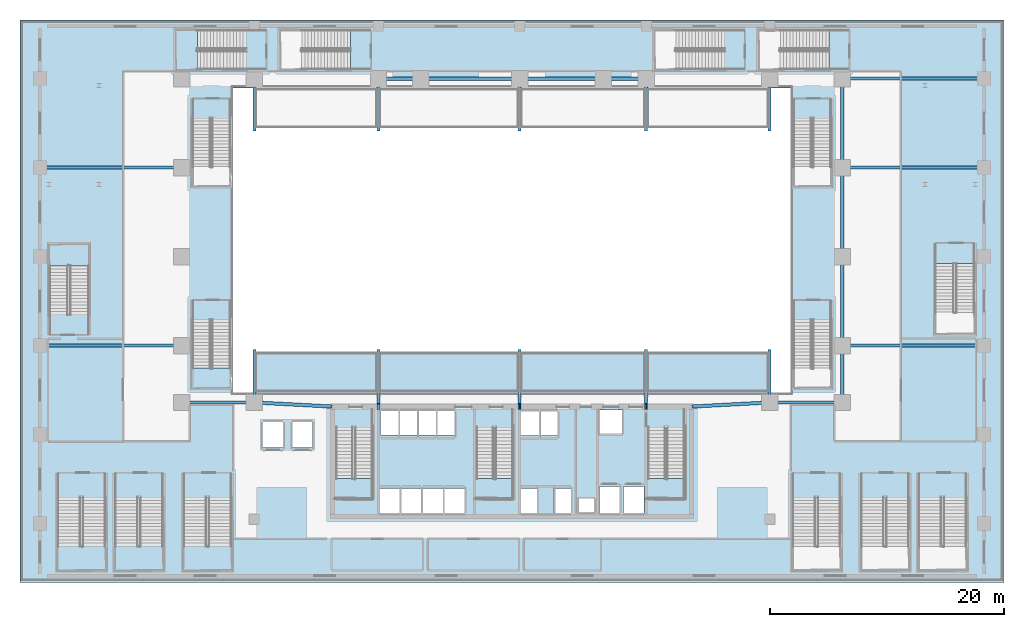
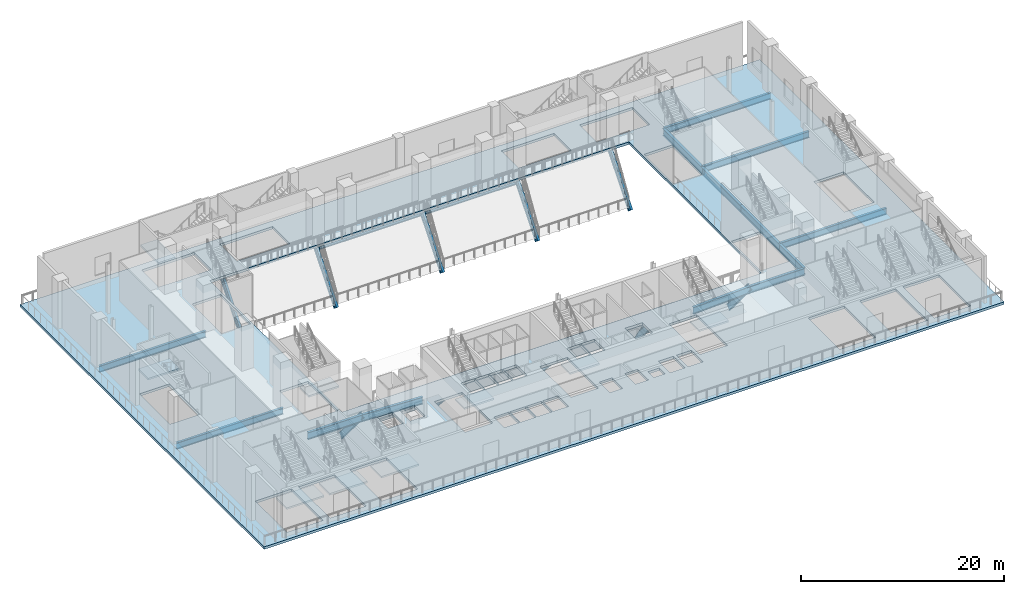
# One storey, part 5 of 30: 27 beams, 14 slabs, 9 elements without a shape of their own.
"""IFC4 building model written with IfcOpenShell, lengths in metres."""

from ifc_helpers import new_model, si_unit, direction, frame, origin, origin_2d, place, context, subcontext, project, spatial, polyline, i_section, outline, extrude, material, layer, layer_set, material_profile, profile_set, type_object, element, aggregate, save


model = new_model("IFC4")

# Units and contexts
model_context = context("Model", 3, precision=1e-05, world=origin(), true_north=direction((0.0, 1.0)))
body_context = subcontext(model_context, "Body", "Model", "MODEL_VIEW")
ifc_project = project(units=[si_unit("LENGTHUNIT", "METRE"), si_unit("AREAUNIT", "SQUARE_METRE"), si_unit("VOLUMEUNIT", "CUBIC_METRE"), si_unit("PLANEANGLEUNIT", "RADIAN"), si_unit("MASSUNIT", "GRAM", prefix="KILO")], contexts=[model_context])

# Site, building, storey
site_placement = place(None, origin())
site = spatial("IfcSite", under=ifc_project, at=site_placement, CompositionType="ELEMENT")
building_placement = place(site_placement, origin())
building = spatial("IfcBuilding", under=site, at=building_placement, Name="Ndaravel Arena Tower", CompositionType="ELEMENT")
storey_placement = place(building_placement, frame((0.0, 0.0, 6.0)))
storey = spatial("IfcBuildingStorey", under=building, at=storey_placement, Name="L01", CompositionType="ELEMENT", Elevation=6.0)

# Beams
ifc_material_1 = material(Name="Steel S355", Category="steel")
ifc_material_profile_1 = material_profile(ifc_material_1, i_section(OverallWidth=0.26806640625, OverallDepth=0.769775390625, WebThickness=0.015625, FlangeThickness=0.025390625, FilletRadius=0.0166015625, at=origin_2d()), Name="UB 762x267x197")
ifc_profile_set_1 = profile_set([ifc_material_profile_1], Name="Steel S355")
beam_type_1 = type_object("IfcBeamType", Name="BM-POD-UB762", PredefinedType="BEAM", material=ifc_profile_set_1)
for number, where, z_axis, x_axis, name in (
    (1, (1.699951171875, 20.199951171875, -0.684814453125), (1.0, 0.0, 0.0), (0.0, 1.0, 0.0), "L01 West Concourse Beam 01"),
    (2, (70.199951171875, 20.199951171875, -0.684814453125), (1.0, 0.0, 0.0), (0.0, 1.0, 0.0), "L01 East Concourse Beam 01"),
    (3, (1.699951171875, 35.39990234375, -0.684814453125), (1.0, 0.0, 0.0), (0.0, 1.0, 0.0), "L01 West Concourse Beam 03"),
    (4, (70.199951171875, 35.39990234375, -0.684814453125), (1.0, 0.0, 0.0), (0.0, 1.0, 0.0), "L01 East Concourse Beam 03"),
    (5, (70.199951171875, 43.0, -0.684814453125), (1.0, 0.0, 0.0), (0.0, 1.0, 0.0), "L01 East Concourse Beam 04"),
):
    element("IfcBeam", number, at=place(storey_placement, frame(where, z_axis=z_axis, x_axis=x_axis)), inside=storey, type_object=beam_type_1, Name=name, PredefinedType="BEAM", context=body_context, shape_type="SweptSolid", body=[
        extrude(i_section(OverallWidth=0.26806640625, OverallDepth=0.769775390625, WebThickness=0.015625, FlangeThickness=0.025390625, FilletRadius=0.0166015625, at=origin_2d()), origin(), (0.0, 0.0, 1.0), 12.10009765625),
    ])
ifc_material_2 = material(Name="Steel S355", Category="steel")
ifc_material_profile_2 = material_profile(ifc_material_2, i_section(OverallWidth=0.293701171875, OverallDepth=0.850830078125, WebThickness=0.01611328125, FlangeThickness=0.02685546875, FilletRadius=0.017822265625, at=origin_2d()), Name="UB 838x292x226")
ifc_profile_set_2 = profile_set([ifc_material_profile_2], Name="Steel S355")
beam_type_2 = type_object("IfcBeamType", Name="BM-POD-UB838", PredefinedType="BEAM", material=ifc_profile_set_2)
beam_1_placement = place(storey_placement, frame((70.199951171875, 15.35009765625, -0.775390625), z_axis=(0.0, 1.0, 0.0), x_axis=(-1.0, 0.0, 0.0)))
element("IfcBeam", 6, at=beam_1_placement, inside=storey, type_object=beam_type_2, Name="L01 Arena Ring Girder 05", PredefinedType="BEAM", context=body_context, shape_type="SweptSolid", body=[
    extrude(i_section(OverallWidth=0.293701171875, OverallDepth=0.850830078125, WebThickness=0.01611328125, FlangeThickness=0.02685546875, FilletRadius=0.017822265625, at=origin_2d()), origin(), (0.0, 0.0, 1.0), 4.849853515625),
])
beam_2_placement = place(storey_placement, frame((70.199951171875, 20.199951171875, -0.775390625), z_axis=(0.0, 1.0, 0.0), x_axis=(-1.0, 0.0, 0.0)))
element("IfcBeam", 7, at=beam_2_placement, inside=storey, type_object=beam_type_2, Name="L01 Arena Ring Girder 06", PredefinedType="BEAM", context=body_context, shape_type="SweptSolid", body=[
    extrude(i_section(OverallWidth=0.293701171875, OverallDepth=0.850830078125, WebThickness=0.01611328125, FlangeThickness=0.02685546875, FilletRadius=0.017822265625, at=origin_2d()), origin(), (0.0, 0.0, 1.0), 7.60009765625),
])
beam_3_placement = place(storey_placement, frame((70.199951171875, 27.800048828125, -0.775390625), z_axis=(0.0, 1.0, 0.0), x_axis=(-1.0, 0.0, 0.0)))
element("IfcBeam", 8, at=beam_3_placement, inside=storey, type_object=beam_type_2, Name="L01 Arena Ring Girder 07", PredefinedType="BEAM", context=body_context, shape_type="SweptSolid", body=[
    extrude(i_section(OverallWidth=0.293701171875, OverallDepth=0.850830078125, WebThickness=0.01611328125, FlangeThickness=0.02685546875, FilletRadius=0.017822265625, at=origin_2d()), origin(), (0.0, 0.0, 1.0), 7.599853515625),
])
beam_4_placement = place(storey_placement, frame((70.199951171875, 35.39990234375, -0.775390625), z_axis=(0.0, 1.0, 0.0), x_axis=(-1.0, 0.0, 0.0)))
element("IfcBeam", 9, at=beam_4_placement, inside=storey, type_object=beam_type_2, Name="L01 Arena Ring Girder 08", PredefinedType="BEAM", context=body_context, shape_type="SweptSolid", body=[
    extrude(i_section(OverallWidth=0.293701171875, OverallDepth=0.850830078125, WebThickness=0.01611328125, FlangeThickness=0.02685546875, FilletRadius=0.017822265625, at=origin_2d()), origin(), (0.0, 0.0, 1.0), 7.60009765625),
])
beam_5_placement = place(storey_placement, frame((30.60009765625, 43.0, -0.775390625), z_axis=(1.0, 0.0, 0.0), x_axis=(0.0, 1.0, 0.0)))
element("IfcBeam", 10, at=beam_5_placement, inside=storey, type_object=beam_type_2, Name="L01 Arena Ring Girder 11", PredefinedType="BEAM", context=body_context, shape_type="SweptSolid", body=[
    extrude(i_section(OverallWidth=0.293701171875, OverallDepth=0.850830078125, WebThickness=0.01611328125, FlangeThickness=0.02685546875, FilletRadius=0.017822265625, at=origin_2d()), origin(), (0.0, 0.0, 1.0), 3.599853515625),
])
beam_6_placement = place(storey_placement, frame((34.199951171875, 43.0, -0.775390625), z_axis=(1.0, 0.0, 0.0), x_axis=(0.0, 1.0, 0.0)))
element("IfcBeam", 11, at=beam_6_placement, inside=storey, type_object=beam_type_2, Name="L01 Arena Ring Girder 12", PredefinedType="BEAM", context=body_context, shape_type="SweptSolid", body=[
    extrude(i_section(OverallWidth=0.293701171875, OverallDepth=0.850830078125, WebThickness=0.01611328125, FlangeThickness=0.02685546875, FilletRadius=0.017822265625, at=origin_2d()), origin(), (0.0, 0.0, 1.0), 8.449951171875),
])
beam_7_placement = place(storey_placement, frame((42.64990234375, 43.0, -0.775390625), z_axis=(1.0, 0.0, 0.0), x_axis=(0.0, 1.0, 0.0)))
element("IfcBeam", 12, at=beam_7_placement, inside=storey, type_object=beam_type_2, Name="L01 Arena Ring Girder 13", PredefinedType="BEAM", context=body_context, shape_type="SweptSolid", body=[
    extrude(i_section(OverallWidth=0.293701171875, OverallDepth=0.850830078125, WebThickness=0.01611328125, FlangeThickness=0.02685546875, FilletRadius=0.017822265625, at=origin_2d()), origin(), (0.0, 0.0, 1.0), 7.150146484375),
])
beam_8_placement = place(storey_placement, frame((49.800048828125, 43.0, -0.775390625), z_axis=(1.0, 0.0, 0.0), x_axis=(0.0, 1.0, 0.0)))
element("IfcBeam", 13, at=beam_8_placement, inside=storey, type_object=beam_type_2, Name="L01 Arena Ring Girder 14", PredefinedType="BEAM", context=body_context, shape_type="SweptSolid", body=[
    extrude(i_section(OverallWidth=0.293701171875, OverallDepth=0.850830078125, WebThickness=0.01611328125, FlangeThickness=0.02685546875, FilletRadius=0.017822265625, at=origin_2d()), origin(), (0.0, 0.0, 1.0), 3.64990234375),
])
beam_9_placement = place(storey_placement, frame((13.800048828125, 15.35009765625, -0.775390625), z_axis=(1.0, 0.0, 0.0), x_axis=(0.0, 1.0, 0.0)))
element("IfcBeam", 14, at=beam_9_placement, inside=storey, type_object=beam_type_2, Name="L01 Arena Ring Girder 17", PredefinedType="BEAM", context=body_context, shape_type="SweptSolid", body=[
    extrude(i_section(OverallWidth=0.293701171875, OverallDepth=0.850830078125, WebThickness=0.01611328125, FlangeThickness=0.02685546875, FilletRadius=0.017822265625, at=origin_2d()), origin(), (0.0, 0.0, 1.0), 6.199951171875),
])
for number, where, z_axis, x_axis, name in (
    (15, (20.0, 15.35009765625, -0.775390625), (0.99861701899, -0.052574227375, 0.0), (0.052574227375, 0.99861701899, 0.0), "L01 Arena Ring Girder 18"),
    (16, (57.35009765625, 15.0, -0.775390625), (0.99861701899, 0.052574227375, 0.0), (-0.052574227375, 0.99861701899, 0.0), "L01 Arena Ring Girder 19"),
):
    element("IfcBeam", number, at=place(storey_placement, frame(where, z_axis=z_axis, x_axis=x_axis)), inside=storey, type_object=beam_type_2, Name=name, PredefinedType="BEAM", context=body_context, shape_type="SweptSolid", body=[
        extrude(i_section(OverallWidth=0.293701171875, OverallDepth=0.850830078125, WebThickness=0.01611328125, FlangeThickness=0.02685546875, FilletRadius=0.017822265625, at=origin_2d()), origin(), (0.0, 0.0, 1.0), 6.6591796875),
    ])
beam_10_placement = place(storey_placement, frame((64.0, 15.35009765625, -0.775390625), z_axis=(1.0, 0.0, 0.0), x_axis=(0.0, 1.0, 0.0)))
element("IfcBeam", 17, at=beam_10_placement, inside=storey, type_object=beam_type_2, Name="L01 Arena Ring Girder 20", PredefinedType="BEAM", context=body_context, shape_type="SweptSolid", body=[
    extrude(i_section(OverallWidth=0.293701171875, OverallDepth=0.850830078125, WebThickness=0.01611328125, FlangeThickness=0.02685546875, FilletRadius=0.017822265625, at=origin_2d()), origin(), (0.0, 0.0, 1.0), 6.199951171875),
])
ifc_material_3 = material(Name="Steel S355", Category="steel")
ifc_material_profile_3 = material_profile(ifc_material_3, i_section(OverallWidth=0.255859375, OverallDepth=0.69287109375, WebThickness=0.014404296875, FlangeThickness=0.023681640625, FilletRadius=0.01513671875, at=origin_2d()), Name="UB 686x254x170")
ifc_profile_set_3 = profile_set([ifc_material_profile_3], Name="Steel S355")
beam_type_3 = type_object("IfcBeamType", Name="BM-RAKER-UB686", PredefinedType="USERDEFINED", material=ifc_profile_set_3)
beam_11_placement = place(storey_placement, frame((20.0, 38.800048828125, -5.550048828125), z_axis=(0.0, 0.635695595576, 0.771939835586), x_axis=(-1.0, 0.0, 0.0)))
element("IfcBeam", 18, at=beam_11_placement, inside=storey, type_object=beam_type_3, Name="L01 North Arena Raker RK-1N1", ObjectType="RAKER", PredefinedType="USERDEFINED", context=body_context, shape_type="SweptSolid", body=[
    extrude(i_section(OverallWidth=0.255859375, OverallDepth=0.69287109375, WebThickness=0.014404296875, FlangeThickness=0.023681640625, FilletRadius=0.01513671875, at=origin_2d()), origin(), (0.0, 0.0, 1.0), 6.60693359375),
])
beam_12_placement = place(storey_placement, frame((20.0, 19.60009765625, -5.550048828125), z_axis=(0.0, -0.640177165233, 0.768227308233), x_axis=(1.0, 0.0, 0.0)))
element("IfcBeam", 19, at=beam_12_placement, inside=storey, type_object=beam_type_3, Name="L01 South Arena Raker RK-1S1", ObjectType="RAKER", PredefinedType="USERDEFINED", context=body_context, shape_type="SweptSolid", body=[
    extrude(i_section(OverallWidth=0.255859375, OverallDepth=0.69287109375, WebThickness=0.014404296875, FlangeThickness=0.023681640625, FilletRadius=0.01513671875, at=origin_2d()), origin(), (0.0, 0.0, 1.0), 6.638671875),
])
beam_13_placement = place(storey_placement, frame((30.60009765625, 38.800048828125, -5.550048828125), z_axis=(0.0, 0.635695595576, 0.771939835586), x_axis=(-1.0, 0.0, 0.0)))
element("IfcBeam", 20, at=beam_13_placement, inside=storey, type_object=beam_type_3, Name="L01 North Arena Raker RK-1N2", ObjectType="RAKER", PredefinedType="USERDEFINED", context=body_context, shape_type="SweptSolid", body=[
    extrude(i_section(OverallWidth=0.255859375, OverallDepth=0.69287109375, WebThickness=0.014404296875, FlangeThickness=0.023681640625, FilletRadius=0.01513671875, at=origin_2d()), origin(), (0.0, 0.0, 1.0), 6.60693359375),
])
beam_14_placement = place(storey_placement, frame((30.60009765625, 19.60009765625, -5.550048828125), z_axis=(0.0, -0.669769538934, 0.74256903027), x_axis=(1.0, 0.0, 0.0)))
element("IfcBeam", 21, at=beam_14_placement, inside=storey, type_object=beam_type_3, Name="L01 South Arena Raker RK-1S2", ObjectType="RAKER", PredefinedType="USERDEFINED", context=body_context, shape_type="SweptSolid", body=[
    extrude(i_section(OverallWidth=0.255859375, OverallDepth=0.69287109375, WebThickness=0.014404296875, FlangeThickness=0.023681640625, FilletRadius=0.01513671875, at=origin_2d()), origin(), (0.0, 0.0, 1.0), 6.8681640625),
])
beam_15_placement = place(storey_placement, frame((42.64990234375, 38.800048828125, -5.550048828125), z_axis=(0.0, 0.635695595576, 0.771939835586), x_axis=(-1.0, 0.0, 0.0)))
element("IfcBeam", 22, at=beam_15_placement, inside=storey, type_object=beam_type_3, Name="L01 North Arena Raker RK-1N3", ObjectType="RAKER", PredefinedType="USERDEFINED", context=body_context, shape_type="SweptSolid", body=[
    extrude(i_section(OverallWidth=0.255859375, OverallDepth=0.69287109375, WebThickness=0.014404296875, FlangeThickness=0.023681640625, FilletRadius=0.01513671875, at=origin_2d()), origin(), (0.0, 0.0, 1.0), 6.60693359375),
])
beam_16_placement = place(storey_placement, frame((42.64990234375, 19.60009765625, -5.550048828125), z_axis=(0.0, -0.669769538934, 0.74256903027), x_axis=(1.0, 0.0, 0.0)))
element("IfcBeam", 23, at=beam_16_placement, inside=storey, type_object=beam_type_3, Name="L01 South Arena Raker RK-1S3", ObjectType="RAKER", PredefinedType="USERDEFINED", context=body_context, shape_type="SweptSolid", body=[
    extrude(i_section(OverallWidth=0.255859375, OverallDepth=0.69287109375, WebThickness=0.014404296875, FlangeThickness=0.023681640625, FilletRadius=0.01513671875, at=origin_2d()), origin(), (0.0, 0.0, 1.0), 6.8681640625),
])
beam_17_placement = place(storey_placement, frame((53.449951171875, 38.800048828125, -5.550048828125), z_axis=(0.0, 0.635695595576, 0.771939835586), x_axis=(-1.0, 0.0, 0.0)))
element("IfcBeam", 24, at=beam_17_placement, inside=storey, type_object=beam_type_3, Name="L01 North Arena Raker RK-1N4", ObjectType="RAKER", PredefinedType="USERDEFINED", context=body_context, shape_type="SweptSolid", body=[
    extrude(i_section(OverallWidth=0.255859375, OverallDepth=0.69287109375, WebThickness=0.014404296875, FlangeThickness=0.023681640625, FilletRadius=0.01513671875, at=origin_2d()), origin(), (0.0, 0.0, 1.0), 6.60693359375),
])
beam_18_placement = place(storey_placement, frame((53.449951171875, 19.60009765625, -5.550048828125), z_axis=(0.0, -0.669769538934, 0.74256903027), x_axis=(1.0, 0.0, 0.0)))
element("IfcBeam", 25, at=beam_18_placement, inside=storey, type_object=beam_type_3, Name="L01 South Arena Raker RK-1S4", ObjectType="RAKER", PredefinedType="USERDEFINED", context=body_context, shape_type="SweptSolid", body=[
    extrude(i_section(OverallWidth=0.255859375, OverallDepth=0.69287109375, WebThickness=0.014404296875, FlangeThickness=0.023681640625, FilletRadius=0.01513671875, at=origin_2d()), origin(), (0.0, 0.0, 1.0), 6.8681640625),
])
beam_19_placement = place(storey_placement, frame((64.0, 38.800048828125, -5.550048828125), z_axis=(0.0, 0.635695595576, 0.771939835586), x_axis=(-1.0, 0.0, 0.0)))
element("IfcBeam", 26, at=beam_19_placement, inside=storey, type_object=beam_type_3, Name="L01 North Arena Raker RK-1N5", ObjectType="RAKER", PredefinedType="USERDEFINED", context=body_context, shape_type="SweptSolid", body=[
    extrude(i_section(OverallWidth=0.255859375, OverallDepth=0.69287109375, WebThickness=0.014404296875, FlangeThickness=0.023681640625, FilletRadius=0.01513671875, at=origin_2d()), origin(), (0.0, 0.0, 1.0), 6.60693359375),
])
beam_20_placement = place(storey_placement, frame((64.0, 19.60009765625, -5.550048828125), z_axis=(0.0, -0.640177165233, 0.768227308233), x_axis=(1.0, 0.0, 0.0)))
element("IfcBeam", 27, at=beam_20_placement, inside=storey, type_object=beam_type_3, Name="L01 South Arena Raker RK-1S5", ObjectType="RAKER", PredefinedType="USERDEFINED", context=body_context, shape_type="SweptSolid", body=[
    extrude(i_section(OverallWidth=0.255859375, OverallDepth=0.69287109375, WebThickness=0.014404296875, FlangeThickness=0.023681640625, FilletRadius=0.01513671875, at=origin_2d()), origin(), (0.0, 0.0, 1.0), 6.638671875),
])

# Slab
ifc_material_4 = material(Name="Concrete C40/50", Category="concrete")
ifc_layer_1 = layer(ifc_material_4, 0.300048828125)
ifc_layer_set_1 = layer_set([ifc_layer_1], Name="Concrete C40/50")
slab_type_1 = type_object("IfcSlabType", Name="SLAB-POD-300", PredefinedType="FLOOR", material=ifc_layer_set_1)
slab_1_placement = place(storey_placement, frame((0.0, 0.0, -0.300048828125)))
element("IfcSlab", 28, at=slab_1_placement, inside=storey, type_object=slab_type_1, Name="L01 Structural Floor Slab", PredefinedType="FLOOR", context=body_context, shape_type="SweptSolid", body=[
    extrude(outline(polyline([(0.0, 0.0), (84.0, 0.0), (84.0, 48.0), (0.0, 48.0), (0.0, 0.0)]), holes=[polyline([(26.949951171875, 13.215087890625), (26.949951171875, 7.14990234375), (30.090087890625, 7.14990234375), (30.090087890625, 13.215087890625), (26.949951171875, 13.215087890625)]), polyline([(38.949951171875, 13.215087890625), (38.949951171875, 7.14990234375), (42.090087890625, 7.14990234375), (42.090087890625, 13.215087890625), (38.949951171875, 13.215087890625)]), polyline([(53.60009765625, 13.215087890625), (53.60009765625, 7.14990234375), (56.739990234375, 7.14990234375), (56.739990234375, 13.215087890625), (53.60009765625, 13.215087890625)]), polyline([(3.199951171875, 7.235107421875), (3.199951171875, 1.050048828125), (7.300048828125, 1.050048828125), (7.300048828125, 7.235107421875), (3.199951171875, 7.235107421875)]), polyline([(8.10009765625, 7.235107421875), (8.10009765625, 1.050048828125), (12.199951171875, 1.050048828125), (12.199951171875, 7.235107421875), (8.10009765625, 7.235107421875)]), polyline([(13.949951171875, 7.235107421875), (13.949951171875, 1.050048828125), (18.050048828125, 1.050048828125), (18.050048828125, 7.235107421875), (13.949951171875, 7.235107421875)]), polyline([(65.949951171875, 7.235107421875), (65.949951171875, 1.050048828125), (70.050048828125, 1.050048828125), (70.050048828125, 7.235107421875), (65.949951171875, 7.235107421875)]), polyline([(71.800048828125, 7.235107421875), (71.800048828125, 1.050048828125), (75.89990234375, 1.050048828125), (75.89990234375, 7.235107421875), (71.800048828125, 7.235107421875)]), polyline([(76.699951171875, 7.235107421875), (76.699951171875, 1.050048828125), (80.800048828125, 1.050048828125), (80.800048828125, 7.235107421875), (76.699951171875, 7.235107421875)]), polyline([(5.8798828125, 22.85498046875), (5.8798828125, 28.85009765625), (2.5, 28.85009765625), (2.5, 22.85498046875), (5.8798828125, 22.85498046875)]), polyline([(19.294921875, 47.139892578125), (13.300048828125, 47.139892578125), (13.300048828125, 43.760009765625), (19.294921875, 43.760009765625), (19.294921875, 47.139892578125)]), polyline([(28.195068359375, 47.139892578125), (22.199951171875, 47.139892578125), (22.199951171875, 43.760009765625), (28.195068359375, 43.760009765625), (28.195068359375, 47.139892578125)]), polyline([(60.14501953125, 47.139892578125), (54.14990234375, 47.139892578125), (54.14990234375, 43.760009765625), (60.14501953125, 43.760009765625), (60.14501953125, 47.139892578125)]), polyline([(69.044921875, 47.139892578125), (63.050048828125, 47.139892578125), (63.050048828125, 43.760009765625), (69.044921875, 43.760009765625), (69.044921875, 47.139892578125)]), polyline([(78.1201171875, 27.195068359375), (78.1201171875, 21.199951171875), (81.5, 21.199951171875), (81.5, 27.195068359375), (78.1201171875, 27.195068359375)]), polyline([(14.699951171875, 22.405029296875), (14.699951171875, 16.60009765625), (17.9599609375, 16.60009765625), (17.9599609375, 22.405029296875), (14.699951171875, 22.405029296875)]), polyline([(14.699951171875, 39.60498046875), (14.699951171875, 33.800048828125), (17.9599609375, 33.800048828125), (17.9599609375, 39.60498046875), (14.699951171875, 39.60498046875)]), polyline([(66.0, 22.405029296875), (66.0, 16.60009765625), (69.260009765625, 16.60009765625), (69.260009765625, 22.405029296875), (66.0, 22.405029296875)]), polyline([(66.0, 39.60498046875), (66.0, 33.800048828125), (69.260009765625, 33.800048828125), (69.260009765625, 39.60498046875), (66.0, 39.60498046875)]), polyline([(30.68505859375, 5.909912109375), (32.4150390625, 5.909912109375), (32.4150390625, 7.989990234375), (30.68505859375, 7.989990234375), (30.68505859375, 5.909912109375)]), polyline([(32.534912109375, 5.909912109375), (34.264892578125, 5.909912109375), (34.264892578125, 7.989990234375), (32.534912109375, 7.989990234375), (32.534912109375, 5.909912109375)]), polyline([(34.385009765625, 5.909912109375), (36.114990234375, 5.909912109375), (36.114990234375, 7.989990234375), (34.385009765625, 7.989990234375), (34.385009765625, 5.909912109375)]), polyline([(36.235107421875, 5.909912109375), (37.965087890625, 5.909912109375), (37.965087890625, 7.989990234375), (36.235107421875, 7.989990234375), (36.235107421875, 5.909912109375)]), polyline([(30.784912109375, 12.56005859375), (32.31494140625, 12.56005859375), (32.31494140625, 14.639892578125), (30.784912109375, 14.639892578125), (30.784912109375, 12.56005859375)]), polyline([(32.385009765625, 12.56005859375), (33.9150390625, 12.56005859375), (33.9150390625, 14.639892578125), (32.385009765625, 14.639892578125), (32.385009765625, 12.56005859375)]), polyline([(33.985107421875, 12.56005859375), (35.514892578125, 12.56005859375), (35.514892578125, 14.639892578125), (33.985107421875, 14.639892578125), (33.985107421875, 12.56005859375)]), polyline([(35.5849609375, 12.56005859375), (37.114990234375, 12.56005859375), (37.114990234375, 14.639892578125), (35.5849609375, 14.639892578125), (35.5849609375, 12.56005859375)]), polyline([(42.659912109375, 5.909912109375), (44.139892578125, 5.909912109375), (44.139892578125, 7.989990234375), (42.659912109375, 7.989990234375), (42.659912109375, 5.909912109375)]), polyline([(45.56005859375, 5.909912109375), (47.0400390625, 5.909912109375), (47.0400390625, 7.989990234375), (45.56005859375, 7.989990234375), (45.56005859375, 5.909912109375)]), polyline([(42.784912109375, 12.510009765625), (44.31494140625, 12.510009765625), (44.31494140625, 14.590087890625), (42.784912109375, 14.590087890625), (42.784912109375, 12.510009765625)]), polyline([(44.385009765625, 12.510009765625), (45.9150390625, 12.510009765625), (45.9150390625, 14.590087890625), (44.385009765625, 14.590087890625), (44.385009765625, 12.510009765625)]), polyline([(49.485107421875, 5.909912109375), (51.215087890625, 5.909912109375), (51.215087890625, 8.18994140625), (49.485107421875, 8.18994140625), (49.485107421875, 5.909912109375)]), polyline([(51.534912109375, 5.909912109375), (53.264892578125, 5.909912109375), (53.264892578125, 8.18994140625), (51.534912109375, 8.18994140625), (51.534912109375, 5.909912109375)]), polyline([(49.4599609375, 12.68505859375), (51.43994140625, 12.68505859375), (51.43994140625, 14.715087890625), (49.4599609375, 14.715087890625), (49.4599609375, 12.68505859375)]), polyline([(20.735107421875, 11.510009765625), (22.465087890625, 11.510009765625), (22.465087890625, 13.68994140625), (20.735107421875, 13.68994140625), (20.735107421875, 11.510009765625)]), polyline([(23.235107421875, 11.510009765625), (24.965087890625, 11.510009765625), (24.965087890625, 13.68994140625), (23.235107421875, 13.68994140625), (23.235107421875, 11.510009765625)]), polyline([(47.699951171875, 6.0), (49.0, 6.0), (49.0, 7.139892578125), (47.699951171875, 7.139892578125), (47.699951171875, 6.0)]), polyline([(18.199951171875, 16.199951171875), (65.800048828125, 16.199951171875), (65.800048828125, 42.199951171875), (18.199951171875, 42.199951171875), (18.199951171875, 16.199951171875)])]), origin(), (0.0, 0.0, 1.0), 0.300048828125),
])

# Stair, slab
ifc_material_5 = material(Name="Concrete C40/50", Category="concrete")
stair_type_1 = type_object("IfcStairType", Name="STAIR-CORE-HT", PredefinedType="HALF_TURN_STAIR", material=ifc_material_5)
stair_1_placement = place(storey_placement, origin())
stair_1 = element("IfcStair", 29, at=stair_1_placement, inside=storey, type_object=stair_type_1, Name="L01 ST-1", PredefinedType="HALF_TURN_STAIR")
ifc_material_6 = material(Name="Concrete C40/50", Category="concrete")
ifc_layer_2 = layer(ifc_material_6, 0.199951171875)
ifc_layer_set_2 = layer_set([ifc_layer_2], Name="Concrete C40/50")
slab_type_2 = type_object("IfcSlabType", Name="SLAB-STAIR-LANDING", PredefinedType="LANDING", material=ifc_layer_set_2)
slab_2_placement = place(storey_placement, frame((0.0, 0.0, 2.800048828125)))
slab_2 = element("IfcSlab", 30, at=slab_2_placement, type_object=slab_type_2, Name="ST-1 landing 1", PredefinedType="LANDING", context=body_context, shape_type="SweptSolid", body=[
    extrude(outline(polyline([(26.81005859375, 8.860107421875), (26.81005859375, 7.070068359375), (30.169921875, 7.070068359375), (30.169921875, 8.860107421875), (26.81005859375, 8.860107421875)])), origin(), (0.0, 0.0, 1.0), 0.199951171875),
])
aggregate(stair_1, [slab_2])

stair_2_placement = place(storey_placement, origin())
stair_2 = element("IfcStair", 31, at=stair_2_placement, inside=storey, type_object=stair_type_1, Name="L01 ST-2", PredefinedType="HALF_TURN_STAIR")
slab_3_placement = place(storey_placement, frame((0.0, 0.0, 2.800048828125)))
slab_3 = element("IfcSlab", 32, at=slab_3_placement, type_object=slab_type_2, Name="ST-2 landing 1", PredefinedType="LANDING", context=body_context, shape_type="SweptSolid", body=[
    extrude(outline(polyline([(38.81005859375, 8.860107421875), (38.81005859375, 7.070068359375), (42.169921875, 7.070068359375), (42.169921875, 8.860107421875), (38.81005859375, 8.860107421875)])), origin(), (0.0, 0.0, 1.0), 0.199951171875),
])
aggregate(stair_2, [slab_3])

stair_3_placement = place(storey_placement, origin())
stair_3 = element("IfcStair", 33, at=stair_3_placement, inside=storey, type_object=stair_type_1, Name="L01 ST-3", PredefinedType="HALF_TURN_STAIR")
slab_4_placement = place(storey_placement, frame((0.0, 0.0, 2.800048828125)))
slab_4 = element("IfcSlab", 34, at=slab_4_placement, type_object=slab_type_2, Name="ST-3 landing 1", PredefinedType="LANDING", context=body_context, shape_type="SweptSolid", body=[
    extrude(outline(polyline([(53.4599609375, 8.860107421875), (53.4599609375, 7.070068359375), (56.820068359375, 7.070068359375), (56.820068359375, 8.860107421875), (53.4599609375, 8.860107421875)])), origin(), (0.0, 0.0, 1.0), 0.199951171875),
])
aggregate(stair_3, [slab_4])

ifc_material_7 = material(Name="Concrete C40/50", Category="concrete")
stair_type_2 = type_object("IfcStairType", Name="STAIR-ARENA-HT", PredefinedType="HALF_TURN_STAIR", material=ifc_material_7)
stair_4_placement = place(storey_placement, origin())
stair_4 = element("IfcStair", 35, at=stair_4_placement, inside=storey, type_object=stair_type_2, Name="L01 ST-A01", PredefinedType="HALF_TURN_STAIR")
slab_5_placement = place(storey_placement, frame((0.0, 0.0, 2.800048828125)))
slab_5 = element("IfcSlab", 36, at=slab_5_placement, type_object=slab_type_2, Name="ST-A01 landing 1", PredefinedType="LANDING", context=body_context, shape_type="SweptSolid", body=[
    extrude(outline(polyline([(3.1201171875, 3.10498046875), (3.1201171875, 0.969970703125), (7.3798828125, 0.969970703125), (7.3798828125, 3.10498046875), (3.1201171875, 3.10498046875)])), origin(), (0.0, 0.0, 1.0), 0.199951171875),
])
aggregate(stair_4, [slab_5])

stair_5_placement = place(storey_placement, origin())
stair_5 = element("IfcStair", 37, at=stair_5_placement, inside=storey, type_object=stair_type_2, Name="L01 ST-A02", PredefinedType="HALF_TURN_STAIR")
slab_6_placement = place(storey_placement, frame((0.0, 0.0, 2.800048828125)))
slab_6 = element("IfcSlab", 38, at=slab_6_placement, type_object=slab_type_2, Name="ST-A02 landing 1", PredefinedType="LANDING", context=body_context, shape_type="SweptSolid", body=[
    extrude(outline(polyline([(8.02001953125, 3.10498046875), (8.02001953125, 0.969970703125), (12.280029296875, 0.969970703125), (12.280029296875, 3.10498046875), (8.02001953125, 3.10498046875)])), origin(), (0.0, 0.0, 1.0), 0.199951171875),
])
aggregate(stair_5, [slab_6])

stair_6_placement = place(storey_placement, origin())
stair_6 = element("IfcStair", 39, at=stair_6_placement, inside=storey, type_object=stair_type_2, Name="L01 ST-A03", PredefinedType="HALF_TURN_STAIR")
slab_7_placement = place(storey_placement, frame((0.0, 0.0, 2.800048828125)))
slab_7 = element("IfcSlab", 40, at=slab_7_placement, type_object=slab_type_2, Name="ST-A03 landing 1", PredefinedType="LANDING", context=body_context, shape_type="SweptSolid", body=[
    extrude(outline(polyline([(13.8701171875, 3.10498046875), (13.8701171875, 0.969970703125), (18.1298828125, 0.969970703125), (18.1298828125, 3.10498046875), (13.8701171875, 3.10498046875)])), origin(), (0.0, 0.0, 1.0), 0.199951171875),
])
aggregate(stair_6, [slab_7])

ifc_material_8 = material(Name="Concrete C40/50", Category="concrete")
stair_type_3 = type_object("IfcStairType", Name="STAIR-POD-QT", PredefinedType="QUARTER_TURN_STAIR", material=ifc_material_8)
stair_7_placement = place(storey_placement, origin())
stair_7 = element("IfcStair", 41, at=stair_7_placement, inside=storey, type_object=stair_type_3, Name="L01 ST-A07", PredefinedType="QUARTER_TURN_STAIR")
slab_8_placement = place(storey_placement, frame((0.0, 0.0, 2.800048828125)))
slab_8 = element("IfcSlab", 42, at=slab_8_placement, type_object=slab_type_2, Name="ST-A07 landing 1", PredefinedType="LANDING", context=body_context, shape_type="SweptSolid", body=[
    extrude(outline(polyline([(5.9599609375, 26.985107421875), (5.9599609375, 28.929931640625), (2.419921875, 28.929931640625), (2.419921875, 26.985107421875), (5.9599609375, 26.985107421875)])), origin(), (0.0, 0.0, 1.0), 0.199951171875),
])
aggregate(stair_7, [slab_8])

stair_8_placement = place(storey_placement, origin())
stair_8 = element("IfcStair", 43, at=stair_8_placement, inside=storey, type_object=stair_type_3, Name="L01 ST-A08", PredefinedType="QUARTER_TURN_STAIR")
slab_9_placement = place(storey_placement, frame((0.0, 0.0, 2.800048828125)))
slab_9 = element("IfcSlab", 44, at=slab_9_placement, type_object=slab_type_2, Name="ST-A08 landing 1", PredefinedType="LANDING", context=body_context, shape_type="SweptSolid", body=[
    extrude(outline(polyline([(15.1650390625, 47.219970703125), (13.219970703125, 47.219970703125), (13.219970703125, 43.679931640625), (15.1650390625, 43.679931640625), (15.1650390625, 47.219970703125)])), origin(), (0.0, 0.0, 1.0), 0.199951171875),
])
aggregate(stair_8, [slab_9])

ifc_material_9 = material(Name="Concrete C40/50", Category="concrete")
stair_type_4 = type_object("IfcStairType", Name="STAIR-VOM-STR", PredefinedType="STRAIGHT_RUN_STAIR", material=ifc_material_9)
stair_9_placement = place(storey_placement, origin())
stair_9 = element("IfcStair", 45, at=stair_9_placement, inside=storey, type_object=stair_type_4, Name="L01 ST-VOM-1", PredefinedType="STRAIGHT_RUN_STAIR")
slab_10_placement = place(storey_placement, frame((0.0, 0.0, 2.800048828125)))
slab_10 = element("IfcSlab", 46, at=slab_10_placement, type_object=slab_type_2, Name="ST-VOM-1 landing 1", PredefinedType="LANDING", context=body_context, shape_type="SweptSolid", body=[
    extrude(outline(polyline([(14.6201171875, 18.27490234375), (14.6201171875, 16.52001953125), (18.0400390625, 16.52001953125), (18.0400390625, 18.27490234375), (14.6201171875, 18.27490234375)])), origin(), (0.0, 0.0, 1.0), 0.199951171875),
])
aggregate(stair_9, [slab_10])

# Slabs
ifc_material_10 = material(Name="Precast concrete C45/55", Category="concrete")
ifc_layer_3 = layer(ifc_material_10, 0.239990234375)
ifc_layer_set_3 = layer_set([ifc_layer_3], Name="Precast concrete C45/55")
slab_type_3 = type_object("IfcSlabType", Name="SLAB-TIER-240", PredefinedType="USERDEFINED", material=ifc_layer_set_3)
slab_11_placement = place(storey_placement, frame((20.14990234375, 16.300048828125, -0.050048828125), z_axis=(0.0, 0.839559373913, 0.543267942801), x_axis=(1.0, 0.0, 0.0)))
element("IfcSlab", 47, at=slab_11_placement, inside=storey, type_object=slab_type_3, Name="Stand Lower Tier South Bay 1", ObjectType="SEATING TIER", PredefinedType="USERDEFINED", context=body_context, shape_type="SweptSolid", body=[
    extrude(outline(polyline([(0.0, 0.0), (10.300048828125, 0.0), (10.300048828125, 6.074440562623184), (0.0, 6.074440562623184), (0.0, 0.0)])), origin(), (0.0, 0.0, -1.0), 0.239990234375),
])
slab_12_placement = place(storey_placement, frame((30.75, 16.300048828125, -0.050048828125), z_axis=(0.0, 0.839559373913, 0.543267942801), x_axis=(1.0, 0.0, 0.0)))
element("IfcSlab", 48, at=slab_12_placement, inside=storey, type_object=slab_type_3, Name="Stand Lower Tier South Bay 2", ObjectType="SEATING TIER", PredefinedType="USERDEFINED", context=body_context, shape_type="SweptSolid", body=[
    extrude(outline(polyline([(0.0, 0.0), (11.75, 0.0), (11.75, 6.074440562623184), (0.0, 6.074440562623184), (0.0, 0.0)])), origin(), (0.0, 0.0, -1.0), 0.239990234375),
])
slab_13_placement = place(storey_placement, frame((42.800048828125, 16.300048828125, -0.050048828125), z_axis=(0.0, 0.839559373913, 0.543267942801), x_axis=(1.0, 0.0, 0.0)))
element("IfcSlab", 49, at=slab_13_placement, inside=storey, type_object=slab_type_3, Name="Stand Lower Tier South Bay 3", ObjectType="SEATING TIER", PredefinedType="USERDEFINED", context=body_context, shape_type="SweptSolid", body=[
    extrude(outline(polyline([(0.0, 0.0), (10.5, 0.0), (10.5, 6.074440562623184), (0.0, 6.074440562623184), (0.0, 0.0)])), origin(), (0.0, 0.0, -1.0), 0.239990234375),
])
slab_14_placement = place(storey_placement, frame((53.60009765625, 16.300048828125, -0.050048828125), z_axis=(0.0, 0.839559373913, 0.543267942801), x_axis=(1.0, 0.0, 0.0)))
element("IfcSlab", 50, at=slab_14_placement, inside=storey, type_object=slab_type_3, Name="Stand Lower Tier South Bay 4", ObjectType="SEATING TIER", PredefinedType="USERDEFINED", context=body_context, shape_type="SweptSolid", body=[
    extrude(outline(polyline([(0.0, 0.0), (10.25, 0.0), (10.25, 6.074440562623184), (0.0, 6.074440562623184), (0.0, 0.0)])), origin(), (0.0, 0.0, -1.0), 0.239990234375),
])

save(model, "model.ifc")
